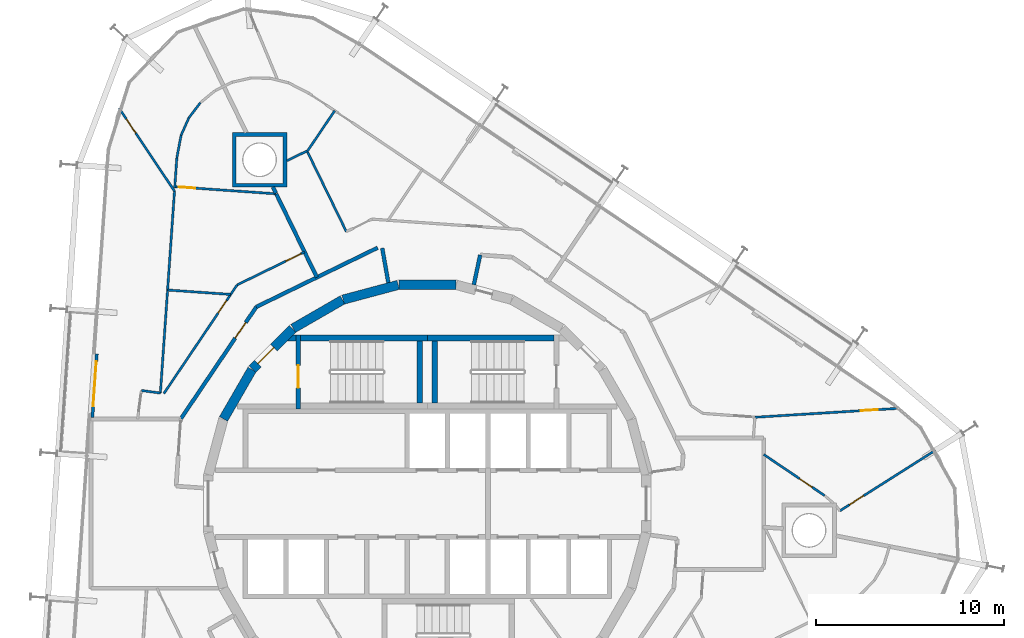
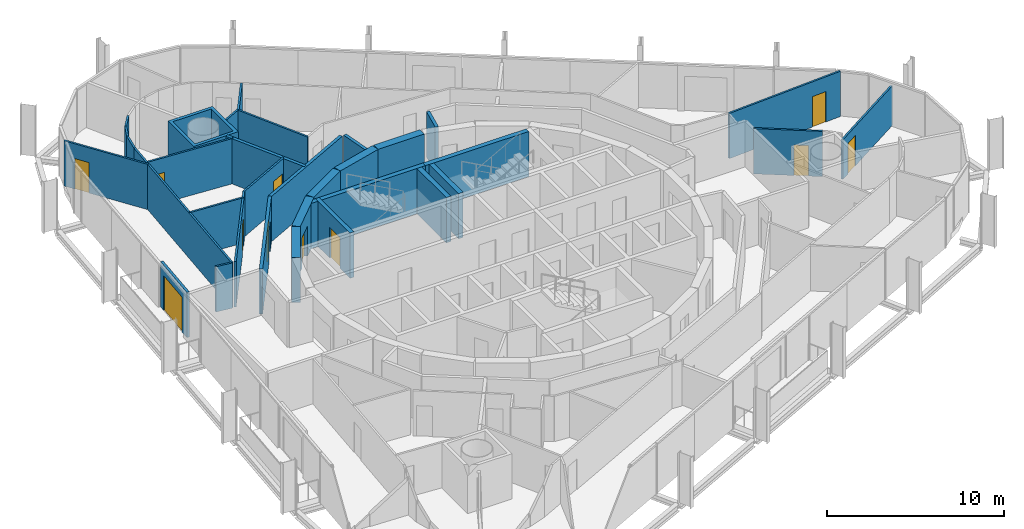
# One storey, part 15 of 18: 36 walls, 11 doors, 11 openings.
"""IFC4 building model written with IfcOpenShell, lengths in metres."""

from ifc_helpers import new_model, si_unit, direction, frame, frame_2d, origin, place, context, subcontext, project, spatial, polyline, rectangle, outline, extrude, material, layer, layer_set, type_object, element, fill, save


model = new_model("IFC4")

# Units and contexts
model_context = context("Model", 3, precision=1e-05, world=origin(), true_north=direction((0.0, 1.0)))
body_context = subcontext(model_context, "Body", "Model", "MODEL_VIEW")
ifc_project = project(units=[si_unit("LENGTHUNIT", "METRE"), si_unit("AREAUNIT", "SQUARE_METRE"), si_unit("VOLUMEUNIT", "CUBIC_METRE"), si_unit("PLANEANGLEUNIT", "RADIAN"), si_unit("MASSUNIT", "GRAM", prefix="KILO")], contexts=[model_context])

# Site, building, storey
site_placement = place(None, origin())
site = spatial("IfcSite", under=ifc_project, at=site_placement, CompositionType="ELEMENT")
building_placement = place(site_placement, origin())
building = spatial("IfcBuilding", under=site, at=building_placement, Name="Spindle Arch Residences", CompositionType="ELEMENT")
storey_placement = place(building_placement, frame((0.0, 0.0, 205.89990234375)))
storey = spatial("IfcBuildingStorey", under=building, at=storey_placement, Name="L52", CompositionType="ELEMENT", Elevation=205.89990234375)

# Walls
ifc_material_1 = material(Name="Concrete C50/60", Category="concrete")
ifc_layer_1 = layer(ifc_material_1, 0.5)
ifc_layer_set_1 = layer_set([ifc_layer_1], Name="Core outline wall 500")
wall_type_1 = type_object("IfcWallType", Name="Core outline wall 500", PredefinedType="SHEAR", material=ifc_layer_set_1)
for number, where, z_axis, x_axis, name in (
    (1, (1.516357421875, 11.647216796875, 0.0), (0.0, 0.0, 1.0), (-1.0, 0.0, 0.0), "Core outline wall 12"),
    (2, (-1.5498046875, 11.642822265625, 0.0), (0.0, 0.0, 1.0), (-0.965948410781, -0.258734743916, 0.0), "Core outline wall 13"),
    (3, (-4.510498046875, 10.84521484375, 0.0), (0.0, 0.0, 1.0), (-0.865975092491, -0.500087131594, 0.0), "Core outline wall 14"),
):
    element("IfcWall", number, at=place(storey_placement, frame(where, z_axis=z_axis, x_axis=x_axis)), inside=storey, type_object=wall_type_1, Name=name, PredefinedType="SHEAR", context=body_context, shape_type="SweptSolid", body=[
        extrude(rectangle(XDim=3.03271484375, YDim=0.5, at=frame_2d((1.516357421875, 0.0))), origin(), (0.0, 0.0, 1.0), 3.1201171875),
    ])

# Wall, opening, door
wall_1_placement = place(storey_placement, frame((-7.163818359375, 9.30810546875, 0.0), z_axis=(0.0, 0.0, 1.0), x_axis=(-0.707106781187, -0.707106781187, 0.0)))
wall_1 = element("IfcWall", 4, at=wall_1_placement, inside=storey, type_object=wall_type_1, Name="Core outline wall 15", PredefinedType="SHEAR", context=body_context, shape_type="SweptSolid", body=[
    extrude(rectangle(XDim=3.032470703125, YDim=0.5, at=frame_2d((1.51611328125, 0.0))), origin(), (0.0, 0.0, 1.0), 3.1201171875),
])
opening_1_placement = place(wall_1_placement, frame((1.416259765625, 0.0, 0.0)))
opening_1 = element("IfcOpeningElement", 5, at=opening_1_placement, cuts=wall_1, Name="Opening R5B1-AD02", PredefinedType="OPENING", context=body_context, shape_type="SweptSolid", body=[
    extrude(rectangle(XDim=1.199951171875, YDim=2.10009765625, at=frame_2d((0.60009765625, 1.050048828125))), frame((0.0, 0.260009765625, 0.0), z_axis=(0.0, -1.0, 0.0), x_axis=(1.0, 0.0, 0.0)), (0.0, 0.0, 1.0), 0.52001953125),
])
ifc_material_2 = material(Name="Steel, fire-resisting door", Category="steel")
door_type_1 = type_object("IfcDoorType", Name="Stair airlock door 1200x2100", OperationType="SINGLE_SWING_LEFT", PredefinedType="DOOR", material=ifc_material_2)
door_1_placement = place(opening_1_placement, origin())
door_1 = element("IfcDoor", 6, at=door_1_placement, inside=storey, type_object=door_type_1, Name="Stair airlock door R5B1-AD02", OperationType="SINGLE_SWING_RIGHT", OverallHeight=2.10009765625, OverallWidth=1.199951171875, PredefinedType="DOOR", context=body_context, shape_type="SweptSolid", body=[
    extrude(rectangle(XDim=1.199951171875, YDim=2.10009765625, at=frame_2d((0.60009765625, 1.050048828125))), frame((0.0, 0.02490234375, 0.0), z_axis=(0.0, -1.0, 0.0), x_axis=(1.0, 0.0, 0.0)), (0.0, 0.0, 1.0), 0.050048828125),
])
fill(opening_1, door_1)

# Walls
wall_2_placement = place(storey_placement, frame((-9.32861328125, 7.13671875, 0.0), z_axis=(0.0, 0.0, 1.0), x_axis=(-0.500087131594, -0.865975092491, 0.0)))
element("IfcWall", 7, at=wall_2_placement, inside=storey, type_object=wall_type_1, Name="Core outline wall 16", PredefinedType="SHEAR", context=body_context, shape_type="SweptSolid", body=[
    extrude(rectangle(XDim=3.03271484375, YDim=0.5, at=frame_2d((1.516357421875, 0.0))), origin(), (0.0, 0.0, 1.0), 3.1201171875),
])
ifc_material_3 = material(Name="Calcium silicate block, plastered")
ifc_layer_2 = layer(ifc_material_3, 0.199951171875)
ifc_layer_set_2 = layer_set([ifc_layer_2], Name="Corridor wall 200")
wall_type_2 = type_object("IfcWallType", Name="Corridor wall 200", PredefinedType="STANDARD", material=ifc_layer_set_2)
wall_3_placement = place(storey_placement, frame((2.8134765625, 13.236083984375, 0.0), z_axis=(0.0, 0.0, 1.0), x_axis=(-0.207911086063, -0.978147729278, 0.0)))
element("IfcWall", 8, at=wall_3_placement, inside=storey, type_object=wall_type_2, Name="Corridor wall R5B1-W007", PredefinedType="STANDARD", context=body_context, shape_type="SweptSolid", body=[
    extrude(rectangle(XDim=1.6181640625, YDim=0.199951171875, at=frame_2d((0.80908203125, 0.0))), origin(), (0.0, 0.0, 1.0), 3.1201171875),
])
wall_4_placement = place(storey_placement, frame((-2.07373046875, 11.76123046875, 0.0), z_axis=(0.0, 0.0, 1.0), x_axis=(-0.173740587112, 0.984791454263, 0.0)))
element("IfcWall", 9, at=wall_4_placement, inside=storey, type_object=wall_type_2, Name="Corridor wall R5B1-W010", PredefinedType="STANDARD", context=body_context, shape_type="SweptSolid", body=[
    extrude(rectangle(XDim=1.867431640625, YDim=0.199951171875, at=frame_2d((0.93359375, 0.0))), origin(), (0.0, 0.0, 1.0), 3.1201171875),
])
wall_5_placement = place(storey_placement, frame((-2.64697265625, 13.617919921875, 0.0), z_axis=(0.0, 0.0, 1.0), x_axis=(-0.898796543751, -0.438366026218, 0.0)))
element("IfcWall", 10, at=wall_5_placement, inside=storey, type_object=wall_type_2, Name="Corridor wall R5B1-W011", PredefinedType="STANDARD", context=body_context, shape_type="SweptSolid", body=[
    extrude(rectangle(XDim=7.18115234375, YDim=0.199951171875, at=frame_2d((3.590576171875, 0.0))), origin(), (0.0, 0.0, 1.0), 3.1201171875),
])

# Wall, opening, door
wall_6_placement = place(storey_placement, frame((-9.101318359375, 10.469970703125, 0.0), z_axis=(0.0, 0.0, 1.0), x_axis=(-0.559195469534, -0.829035841718, 0.0)))
wall_6 = element("IfcWall", 11, at=wall_6_placement, inside=storey, type_object=wall_type_2, Name="Corridor wall R5B1-W012", PredefinedType="STANDARD", context=body_context, shape_type="SweptSolid", body=[
    extrude(rectangle(XDim=7.18115234375, YDim=0.199951171875, at=frame_2d((3.590576171875, 0.0))), origin(), (0.0, 0.0, 1.0), 3.1201171875),
])
opening_2_placement = place(wall_6_placement, frame((1.0, 0.0, 0.0)))
opening_2 = element("IfcOpeningElement", 12, at=opening_2_placement, cuts=wall_6, Name="Opening R5B1-FD03", PredefinedType="OPENING", context=body_context, shape_type="SweptSolid", body=[
    extrude(rectangle(XDim=1.0, YDim=2.10009765625, at=frame_2d((0.5, 1.050048828125))), frame((0.0, 0.10986328125, 0.0), z_axis=(0.0, -1.0, 0.0), x_axis=(1.0, 0.0, 0.0)), (0.0, 0.0, 1.0), 0.219970703125),
])
ifc_material_4 = material(Name="Timber, fire-resisting door set", Category="wood")
door_type_2 = type_object("IfcDoorType", Name="Flat entrance door 1000x2100", OperationType="NOTDEFINED", PredefinedType="DOOR", material=ifc_material_4)
door_2_placement = place(opening_2_placement, origin())
door_2 = element("IfcDoor", 13, at=door_2_placement, inside=storey, type_object=door_type_2, Name="Flat entrance door R5B1-FD03", OperationType="SINGLE_SWING_LEFT", OverallHeight=2.10009765625, OverallWidth=1.0, PredefinedType="DOOR", context=body_context, shape_type="SweptSolid", body=[
    extrude(rectangle(XDim=1.0, YDim=2.10009765625, at=frame_2d((0.5, 1.050048828125))), frame((0.0, 0.02490234375, 0.0), z_axis=(0.0, -1.0, 0.0), x_axis=(1.0, 0.0, 0.0)), (0.0, 0.0, 1.0), 0.050048828125),
])
fill(opening_2, door_2)

ifc_material_5 = material(Name="Plasterboard on steel studs", Category="steel")
ifc_layer_3 = layer(ifc_material_5, 0.1201171875)
ifc_layer_set_3 = layer_set([ifc_layer_3], Name="Flat partition 120")
wall_type_3 = type_object("IfcWallType", Name="Flat partition 120", PredefinedType="PARTITIONING", material=ifc_layer_set_3)
wall_7_placement = place(storey_placement, frame((21.140625, 0.43310546875, 0.0), z_axis=(0.0, 0.0, 1.0), x_axis=(-0.829049908454, 0.559174614313, 0.0)))
wall_7 = element("IfcWall", 14, at=wall_7_placement, inside=storey, type_object=wall_type_3, Name="Flat partition R5B1-W044", PredefinedType="PARTITIONING", context=body_context, shape_type="SweptSolid", body=[
    extrude(rectangle(XDim=3.908935546875, YDim=0.1201171875, at=frame_2d((1.95458984375, 0.0))), origin(), (0.0, 0.0, 1.0), 3.1201171875),
])
opening_3_placement = place(wall_7_placement, frame((0.800048828125, 0.0, 0.0)))
opening_3 = element("IfcOpeningElement", 15, at=opening_3_placement, cuts=wall_7, Name="Opening R5B1-BD01", PredefinedType="OPENING", context=body_context, shape_type="SweptSolid", body=[
    extrude(rectangle(XDim=0.800048828125, YDim=2.10009765625, at=frame_2d((0.39990234375, 1.050048828125))), frame((0.0, 0.070068359375, 0.0), z_axis=(0.0, -1.0, 0.0), x_axis=(1.0, 0.0, 0.0)), (0.0, 0.0, 1.0), 0.14013671875),
])
ifc_material_6 = material(Name="Timber door set", Category="wood")
door_type_3 = type_object("IfcDoorType", Name="Bathroom door 800x2100", OperationType="NOTDEFINED", PredefinedType="DOOR", material=ifc_material_6)
door_3_placement = place(opening_3_placement, origin())
door_3 = element("IfcDoor", 16, at=door_3_placement, inside=storey, type_object=door_type_3, Name="Bathroom door R5B1-BD01", OperationType="SINGLE_SWING_RIGHT", OverallHeight=2.10009765625, OverallWidth=0.800048828125, PredefinedType="DOOR", context=body_context, shape_type="SweptSolid", body=[
    extrude(rectangle(XDim=0.800048828125, YDim=2.10009765625, at=frame_2d((0.39990234375, 1.050048828125))), frame((0.0, 0.02490234375, 0.0), z_axis=(0.0, -1.0, 0.0), x_axis=(1.0, 0.0, 0.0)), (0.0, 0.0, 1.0), 0.050048828125),
])
fill(opening_3, door_3)

wall_8_placement = place(storey_placement, frame((24.9560546875, 5.0654296875, 0.0), z_axis=(0.0, 0.0, 1.0), x_axis=(-0.998076202118, -0.061999151332, 0.0)))
wall_8 = element("IfcWall", 17, at=wall_8_placement, inside=storey, type_object=wall_type_3, Name="Flat partition R5B1-W045", PredefinedType="PARTITIONING", context=body_context, shape_type="SweptSolid", body=[
    extrude(rectangle(XDim=7.536865234375, YDim=0.1201171875, at=frame_2d((3.7685546875, 0.0))), origin(), (0.0, 0.0, 1.0), 3.1201171875),
])
opening_4_placement = place(wall_8_placement, frame((1.0, 0.0, 0.0)))
opening_4 = element("IfcOpeningElement", 18, at=opening_4_placement, cuts=wall_8, Name="Opening R5B1-ID03", PredefinedType="OPENING", context=body_context, shape_type="SweptSolid", body=[
    extrude(rectangle(XDim=0.89990234375, YDim=2.10009765625, at=frame_2d((0.449951171875, 1.050048828125))), frame((0.0, 0.070068359375, 0.0), z_axis=(0.0, -1.0, 0.0), x_axis=(1.0, 0.0, 0.0)), (0.0, 0.0, 1.0), 0.14013671875),
])
ifc_material_7 = material(Name="Timber door set", Category="wood")
door_type_4 = type_object("IfcDoorType", Name="Room door 900x2100", OperationType="NOTDEFINED", PredefinedType="DOOR", material=ifc_material_7)
door_4_placement = place(opening_4_placement, origin())
door_4 = element("IfcDoor", 19, at=door_4_placement, inside=storey, type_object=door_type_4, Name="Room door R5B1-ID03", OperationType="SINGLE_SWING_LEFT", OverallHeight=2.10009765625, OverallWidth=0.89990234375, PredefinedType="DOOR", context=body_context, shape_type="SweptSolid", body=[
    extrude(rectangle(XDim=0.89990234375, YDim=2.10009765625, at=frame_2d((0.449951171875, 1.050048828125))), frame((0.0, 0.02490234375, 0.0), z_axis=(0.0, -1.0, 0.0), x_axis=(1.0, 0.0, 0.0)), (0.0, 0.0, 1.0), 0.050048828125),
])
fill(opening_4, door_4)

# Walls
wall_9_placement = place(storey_placement, frame((-4.307861328125, 14.476806640625, 0.0), z_axis=(0.0, 0.0, 1.0), x_axis=(-0.43837096777, 0.898794133613, 0.0)))
element("IfcWall", 20, at=wall_9_placement, inside=storey, type_object=wall_type_3, Name="Flat partition R5B1-W051", PredefinedType="PARTITIONING", context=body_context, shape_type="SweptSolid", body=[
    extrude(rectangle(XDim=4.74951171875, YDim=0.1201171875, at=frame_2d((2.374755859375, 0.0))), origin(), (0.0, 0.0, 1.0), 3.1201171875),
])
wall_10_placement = place(storey_placement, frame((-6.402099609375, 18.770751953125, 0.0), z_axis=(0.0, 0.0, 1.0), x_axis=(-0.898797905192, -0.438363234797, 0.0)))
element("IfcWall", 21, at=wall_10_placement, inside=storey, type_object=wall_type_3, Name="Flat partition R5B1-W052", PredefinedType="PARTITIONING", context=body_context, shape_type="SweptSolid", body=[
    extrude(rectangle(XDim=1.194580078125, YDim=0.1201171875, at=frame_2d((0.59716796875, 0.0))), origin(), (0.0, 0.0, 1.0), 3.1201171875),
])
wall_11_placement = place(storey_placement, frame((-4.9287109375, 20.912109375, 0.0), z_axis=(0.0, 0.0, 1.0), x_axis=(-0.559155109057, -0.829063063955, 0.0)))
element("IfcWall", 22, at=wall_11_placement, inside=storey, type_object=wall_type_3, Name="Flat partition R5B1-W059", PredefinedType="PARTITIONING", context=body_context, shape_type="SweptSolid", body=[
    extrude(rectangle(XDim=2.61328125, YDim=0.1201171875, at=frame_2d((1.306640625, 0.0))), origin(), (0.0, 0.0, 1.0), 3.1201171875),
])

# Wall, opening, door
wall_12_placement = place(storey_placement, frame((-6.53173828125, 13.39208984375, 0.0), z_axis=(0.0, 0.0, 1.0), x_axis=(-0.898786663593, -0.438386283256, 0.0)))
wall_12 = element("IfcWall", 23, at=wall_12_placement, inside=storey, type_object=wall_type_3, Name="Flat partition R5B1-W063", PredefinedType="PARTITIONING", context=body_context, shape_type="SweptSolid", body=[
    extrude(rectangle(XDim=3.992431640625, YDim=0.1201171875, at=frame_2d((1.99609375, 0.0))), origin(), (0.0, 0.0, 1.0), 3.1201171875),
])
opening_5_placement = place(wall_12_placement, frame((0.199951171875, 0.0, 0.0)))
opening_5 = element("IfcOpeningElement", 24, at=opening_5_placement, cuts=wall_12, Name="Opening R5B1-ID10", PredefinedType="OPENING", context=body_context, shape_type="SweptSolid", body=[
    extrude(rectangle(XDim=0.89990234375, YDim=2.10009765625, at=frame_2d((0.449951171875, 1.050048828125))), frame((0.0, 0.070068359375, 0.0), z_axis=(0.0, -1.0, 0.0), x_axis=(1.0, 0.0, 0.0)), (0.0, 0.0, 1.0), 0.14013671875),
])
door_5_placement = place(opening_5_placement, origin())
door_5 = element("IfcDoor", 25, at=door_5_placement, inside=storey, type_object=door_type_4, Name="Room door R5B1-ID10", OperationType="SINGLE_SWING_LEFT", OverallHeight=2.10009765625, OverallWidth=0.89990234375, PredefinedType="DOOR", context=body_context, shape_type="SweptSolid", body=[
    extrude(rectangle(XDim=0.89990234375, YDim=2.10009765625, at=frame_2d((0.449951171875, 1.050048828125))), frame((0.0, 0.02490234375, 0.0), z_axis=(0.0, -1.0, 0.0), x_axis=(1.0, 0.0, 0.0)), (0.0, 0.0, 1.0), 0.050048828125),
])
fill(opening_5, door_5)

wall_13_placement = place(storey_placement, frame((-10.1201171875, 11.641845703125, 0.0), z_axis=(0.0, 0.0, 1.0), x_axis=(-0.559200431187, -0.829032494996, 0.0)))
wall_13 = element("IfcWall", 26, at=wall_13_placement, inside=storey, type_object=wall_type_3, Name="Flat partition R5B1-W064", PredefinedType="PARTITIONING", context=body_context, shape_type="SweptSolid", body=[
    extrude(rectangle(XDim=6.97314453125, YDim=0.1201171875, at=frame_2d((3.486572265625, 0.0))), origin(), (0.0, 0.0, 1.0), 3.1201171875),
])
opening_6_placement = place(wall_13_placement, frame((1.01123046875, 0.0, 0.0)))
opening_6 = element("IfcOpeningElement", 27, at=opening_6_placement, cuts=wall_13, Name="Opening R5B1-BD03", PredefinedType="OPENING", context=body_context, shape_type="SweptSolid", body=[
    extrude(rectangle(XDim=0.800048828125, YDim=2.10009765625, at=frame_2d((0.39990234375, 1.050048828125))), frame((0.0, 0.070068359375, 0.0), z_axis=(0.0, -1.0, 0.0), x_axis=(1.0, 0.0, 0.0)), (0.0, 0.0, 1.0), 0.14013671875),
])
door_6_placement = place(opening_6_placement, origin())
door_6 = element("IfcDoor", 28, at=door_6_placement, inside=storey, type_object=door_type_3, Name="Bathroom door R5B1-BD03", OperationType="SINGLE_SWING_LEFT", OverallHeight=2.10009765625, OverallWidth=0.800048828125, PredefinedType="DOOR", context=body_context, shape_type="SweptSolid", body=[
    extrude(rectangle(XDim=0.800048828125, YDim=2.10009765625, at=frame_2d((0.39990234375, 1.050048828125))), frame((0.0, 0.02490234375, 0.0), z_axis=(0.0, -1.0, 0.0), x_axis=(1.0, 0.0, 0.0)), (0.0, 0.0, 1.0), 0.050048828125),
])
fill(opening_6, door_6)

# Walls
wall_14_placement = place(storey_placement, frame((-14.204833984375, 5.885986328125, 0.0), z_axis=(0.0, 0.0, 1.0), x_axis=(-0.990931001278, 0.13437168863, 0.0)))
element("IfcWall", 29, at=wall_14_placement, inside=storey, type_object=wall_type_3, Name="Flat partition R5B1-W065", PredefinedType="PARTITIONING", context=body_context, shape_type="SweptSolid", body=[
    extrude(rectangle(XDim=1.013916015625, YDim=0.1201171875, at=frame_2d((0.5068359375, 0.0))), origin(), (0.0, 0.0, 1.0), 3.1201171875),
])
for number, where, z_axis, x_axis, name in (
    (30, (-12.073486328125, 21.34033203125, 0.0), (0.0, 0.0, 1.0), (-0.606325560855, -0.79521652036, 0.0), "Flat partition R5B1-W068"),
    (31, (-12.689453125, 20.532470703125, 0.0), (0.0, 0.0, 1.0), (-0.406874181998, -0.913484208962, 0.0), "Flat partition R5B1-W069"),
):
    element("IfcWall", number, at=place(storey_placement, frame(where, z_axis=z_axis, x_axis=x_axis)), inside=storey, type_object=wall_type_3, Name=name, PredefinedType="PARTITIONING", context=body_context, shape_type="SweptSolid", body=[
        extrude(rectangle(XDim=1.015869140625, YDim=0.1201171875, at=frame_2d((0.5078125, 0.0))), origin(), (0.0, 0.0, 1.0), 3.1201171875),
    ])
wall_15_placement = place(storey_placement, frame((-13.102783203125, 19.6044921875, 0.0), z_axis=(0.0, 0.0, 1.0), x_axis=(-0.185045330455, -0.982729986149, 0.0)))
element("IfcWall", 32, at=wall_15_placement, inside=storey, type_object=wall_type_3, Name="Flat partition R5B1-W070", PredefinedType="PARTITIONING", context=body_context, shape_type="SweptSolid", body=[
    extrude(rectangle(XDim=1.22705078125, YDim=0.1201171875, at=frame_2d((0.613525390625, 0.0))), origin(), (0.0, 0.0, 1.0), 3.1201171875),
])
wall_16_placement = place(storey_placement, frame((-13.329833984375, 18.398681640625, 0.0), z_axis=(0.0, 0.0, 1.0), x_axis=(-0.069695040349, -0.9975683442, 0.0)))
element("IfcWall", 33, at=wall_16_placement, inside=storey, type_object=wall_type_3, Name="Flat partition R5B1-W071", PredefinedType="PARTITIONING", context=body_context, shape_type="SweptSolid", body=[
    extrude(rectangle(XDim=1.576416015625, YDim=0.1201171875, at=frame_2d((0.7880859375, 0.0))), origin(), (0.0, 0.0, 1.0), 3.1201171875),
])

# Wall, opening, door
wall_17_placement = place(storey_placement, frame((-13.43701171875, 16.8662109375, 0.0), z_axis=(0.0, 0.0, 1.0), x_axis=(0.997564592961, -0.06974871232, 0.0)))
wall_17 = element("IfcWall", 34, at=wall_17_placement, inside=storey, type_object=wall_type_3, Name="Flat partition R5B1-W072", PredefinedType="PARTITIONING", context=body_context, shape_type="SweptSolid", body=[
    extrude(rectangle(XDim=5.407958984375, YDim=0.1201171875, at=frame_2d((2.7041015625, 0.0))), origin(), (0.0, 0.0, 1.0), 3.1201171875),
])
opening_7_placement = place(wall_17_placement, frame((0.199951171875, 0.0, 0.0)))
opening_7 = element("IfcOpeningElement", 35, at=opening_7_placement, cuts=wall_17, Name="Opening R5B1-ID12", PredefinedType="OPENING", context=body_context, shape_type="SweptSolid", body=[
    extrude(rectangle(XDim=0.89990234375, YDim=2.10009765625, at=frame_2d((0.449951171875, 1.050048828125))), frame((0.0, 0.070068359375, 0.0), z_axis=(0.0, -1.0, 0.0), x_axis=(1.0, 0.0, 0.0)), (0.0, 0.0, 1.0), 0.14013671875),
])
door_7_placement = place(opening_7_placement, origin())
door_7 = element("IfcDoor", 36, at=door_7_placement, inside=storey, type_object=door_type_4, Name="Room door R5B1-ID12", OperationType="SINGLE_SWING_LEFT", OverallHeight=2.10009765625, OverallWidth=0.89990234375, PredefinedType="DOOR", context=body_context, shape_type="SweptSolid", body=[
    extrude(rectangle(XDim=0.89990234375, YDim=2.10009765625, at=frame_2d((0.449951171875, 1.050048828125))), frame((0.0, 0.02490234375, 0.0), z_axis=(0.0, -1.0, 0.0), x_axis=(1.0, 0.0, 0.0)), (0.0, 0.0, 1.0), 0.050048828125),
])
fill(opening_7, door_7)

wall_18_placement = place(storey_placement, frame((-16.401611328125, 21.046142578125, 0.0), z_axis=(0.0, 0.0, 1.0), x_axis=(0.555442981062, -0.831554625259, 0.0)))
wall_18 = element("IfcWall", 37, at=wall_18_placement, inside=storey, type_object=wall_type_3, Name="Flat partition R5B1-W073", PredefinedType="PARTITIONING", context=body_context, shape_type="SweptSolid", body=[
    extrude(rectangle(XDim=5.307861328125, YDim=0.1201171875, at=frame_2d((2.65380859375, 0.0))), origin(), (0.0, 0.0, 1.0), 3.1201171875),
])
opening_8_placement = place(wall_18_placement, frame((0.699951171875, 0.0, 0.0)))
opening_8 = element("IfcOpeningElement", 38, at=opening_8_placement, cuts=wall_18, Name="Opening R5B1-ID13", PredefinedType="OPENING", context=body_context, shape_type="SweptSolid", body=[
    extrude(rectangle(XDim=0.89990234375, YDim=2.10009765625, at=frame_2d((0.449951171875, 1.050048828125))), frame((0.0, 0.070068359375, 0.0), z_axis=(0.0, -1.0, 0.0), x_axis=(1.0, 0.0, 0.0)), (0.0, 0.0, 1.0), 0.14013671875),
])
door_8_placement = place(opening_8_placement, origin())
door_8 = element("IfcDoor", 39, at=door_8_placement, inside=storey, type_object=door_type_4, Name="Room door R5B1-ID13", OperationType="SINGLE_SWING_LEFT", OverallHeight=2.10009765625, OverallWidth=0.89990234375, PredefinedType="DOOR", context=body_context, shape_type="SweptSolid", body=[
    extrude(rectangle(XDim=0.89990234375, YDim=2.10009765625, at=frame_2d((0.449951171875, 1.050048828125))), frame((0.0, 0.02490234375, 0.0), z_axis=(0.0, -1.0, 0.0), x_axis=(1.0, 0.0, 0.0)), (0.0, 0.0, 1.0), 0.050048828125),
])
fill(opening_8, door_8)

# Walls
wall_19_placement = place(storey_placement, frame((-13.453369140625, 16.63232421875, 0.0), z_axis=(0.0, 0.0, 1.0), x_axis=(-0.069757184581, -0.997564000553, 0.0)))
element("IfcWall", 40, at=wall_19_placement, inside=storey, type_object=wall_type_3, Name="Flat partition R5B1-W074", PredefinedType="PARTITIONING", context=body_context, shape_type="SweptSolid", body=[
    extrude(rectangle(XDim=10.7724609375, YDim=0.1201171875, at=frame_2d((5.38623046875, 0.0))), origin(), (0.0, 0.0, 1.0), 3.1201171875),
])
wall_20_placement = place(storey_placement, frame((-13.8212890625, 11.3701171875, 0.0), z_axis=(0.0, 0.0, 1.0), x_axis=(0.997559977048, -0.069814698975, 0.0)))
element("IfcWall", 41, at=wall_20_placement, inside=storey, type_object=wall_type_3, Name="Flat partition R5B1-W075", PredefinedType="PARTITIONING", context=body_context, shape_type="SweptSolid", body=[
    extrude(rectangle(XDim=3.36767578125, YDim=0.1201171875, at=frame_2d((1.683837890625, 0.0))), origin(), (0.0, 0.0, 1.0), 3.1201171875),
])

# Wall, opening, door
ifc_material_8 = material(Name="Plasterboard on steel studs", Category="steel")
ifc_layer_4 = layer(ifc_material_8, 0.1201171875)
ifc_layer_set_4 = layer_set([ifc_layer_4], Name="Flat partition 120 under beam 2730")
wall_type_4 = type_object("IfcWallType", Name="Flat partition 120 under beam 2730", PredefinedType="PARTITIONING", material=ifc_layer_set_4)
wall_21_placement = place(storey_placement, frame((21.9501953125, -0.3818359375, 0.0), z_axis=(0.0, 0.0, 1.0), x_axis=(0.844596663126, 0.535403097336, 0.0)))
wall_21 = element("IfcWall", 42, at=wall_21_placement, inside=storey, type_object=wall_type_4, Name="Flat partition R5B1-W047", PredefinedType="PARTITIONING", context=body_context, shape_type="SweptSolid", body=[
    extrude(rectangle(XDim=6.022216796875, YDim=0.1201171875, at=frame_2d((3.01123046875, 0.0))), origin(), (0.0, 0.0, 1.0), 2.72998046875),
])
opening_9_placement = place(wall_21_placement, frame((0.60009765625, 0.0, 0.0)))
opening_9 = element("IfcOpeningElement", 43, at=opening_9_placement, cuts=wall_21, Name="Opening R5B1-ID04", PredefinedType="OPENING", context=body_context, shape_type="SweptSolid", body=[
    extrude(rectangle(XDim=0.89990234375, YDim=2.10009765625, at=frame_2d((0.449951171875, 1.050048828125))), frame((0.0, 0.070068359375, 0.0), z_axis=(0.0, -1.0, 0.0), x_axis=(1.0, 0.0, 0.0)), (0.0, 0.0, 1.0), 0.14013671875),
])
door_9_placement = place(opening_9_placement, origin())
door_9 = element("IfcDoor", 44, at=door_9_placement, inside=storey, type_object=door_type_4, Name="Room door R5B1-ID04", OperationType="SINGLE_SWING_LEFT", OverallHeight=2.10009765625, OverallWidth=0.89990234375, PredefinedType="DOOR", context=body_context, shape_type="SweptSolid", body=[
    extrude(rectangle(XDim=0.89990234375, YDim=2.10009765625, at=frame_2d((0.449951171875, 1.050048828125))), frame((0.0, 0.02490234375, 0.0), z_axis=(0.0, -1.0, 0.0), x_axis=(1.0, 0.0, 0.0)), (0.0, 0.0, 1.0), 0.050048828125),
])
fill(opening_9, door_9)

# Walls
ifc_material_9 = material(Name="Calcium silicate block, plastered")
ifc_layer_5 = layer(ifc_material_9, 0.199951171875)
ifc_layer_set_5 = layer_set([ifc_layer_5], Name="Flat party wall 200")
wall_type_5 = type_object("IfcWallType", Name="Flat party wall 200", PredefinedType="STANDARD", material=ifc_layer_set_5)
wall_22_placement = place(storey_placement, frame((-8.042236328125, 16.489013671875, 0.0), z_axis=(0.0, 0.0, 1.0), x_axis=(0.438345825707, -0.898806395774, 0.0)))
element("IfcWall", 45, at=wall_22_placement, inside=storey, type_object=wall_type_5, Name="Flat party wall R5B1-W031", PredefinedType="STANDARD", context=body_context, shape_type="SweptSolid", body=[
    extrude(rectangle(XDim=4.94580078125, YDim=0.199951171875, at=frame_2d((2.472900390625, 0.0))), origin(), (0.0, 0.0, 1.0), 3.1201171875),
])
wall_23_placement = place(storey_placement, frame((-8.21875, 16.850830078125, 0.0), z_axis=(0.0, 0.0, 1.0), x_axis=(0.438281645094, -0.898837693676, 0.0)))
element("IfcWall", 46, at=wall_23_placement, inside=storey, type_object=wall_type_5, Name="Flat party wall R5B1-W032", PredefinedType="STANDARD", context=body_context, shape_type="SweptSolid", body=[
    extrude(rectangle(XDim=0.37255859375, YDim=0.199951171875, at=frame_2d((0.186279296875, 0.0))), origin(), (0.0, 0.0, 1.0), 3.1201171875),
])

# Wall, opening, door
ifc_material_10 = material(Name="Non-combustible mineral wool insulated aluminium faced external wall (K0)", Category="aluminium")
ifc_layer_6 = layer(ifc_material_10, 0.159912109375)
ifc_layer_set_6 = layer_set([ifc_layer_6], Name="Insulated external wall panel 160")
wall_type_6 = type_object("IfcWallType", Name="Insulated external wall panel 160", PredefinedType="STANDARD", material=ifc_layer_set_6)
wall_24_placement = place(storey_placement, frame((-17.587158203125, 7.975341796875, 0.0), z_axis=(0.0, 0.0, 1.0), x_axis=(-0.069813354682, -0.997560071128, 0.0)))
wall_24 = element("IfcWall", 47, at=wall_24_placement, inside=storey, type_object=wall_type_6, Name="External wall L52 bay 14", PredefinedType="STANDARD", context=body_context, shape_type="SweptSolid", body=[
    extrude(rectangle(XDim=3.388671875, YDim=0.159912109375, at=frame_2d((1.6943359375, 0.0))), origin(), (0.0, 0.0, 1.0), 3.1201171875),
])
opening_10_placement = place(wall_24_placement, frame((0.39990234375, 0.0, 0.0)))
opening_10 = element("IfcOpeningElement", 48, at=opening_10_placement, cuts=wall_24, Name="Opening BD14", PredefinedType="OPENING", context=body_context, shape_type="SweptSolid", body=[
    extrude(rectangle(XDim=2.39990234375, YDim=2.39990234375, at=frame_2d((1.199951171875, 1.199951171875))), frame((0.0, 0.08984375, 0.0), z_axis=(0.0, -1.0, 0.0), x_axis=(1.0, 0.0, 0.0)), (0.0, 0.0, 1.0), 0.179931640625),
])
ifc_material_11 = material(Name="Bronze aluminium frame, tinted double glazing", Category="aluminium")
door_type_5 = type_object("IfcDoorType", Name="Sliding glazed balcony door 2400x2400", OperationType="DOUBLE_DOOR_SLIDING", PredefinedType="DOOR", material=ifc_material_11)
door_10_placement = place(opening_10_placement, origin())
door_10 = element("IfcDoor", 49, at=door_10_placement, inside=storey, type_object=door_type_5, Name="Balcony door BD14", OperationType="DOUBLE_DOOR_SLIDING", OverallHeight=2.39990234375, OverallWidth=2.39990234375, PredefinedType="DOOR", context=body_context, shape_type="SweptSolid", body=[
    extrude(rectangle(XDim=2.39990234375, YDim=2.39990234375, at=frame_2d((1.199951171875, 1.199951171875))), frame((0.0, 0.02490234375, 0.0), z_axis=(0.0, -1.0, 0.0), x_axis=(1.0, 0.0, 0.0)), (0.0, 0.0, 1.0), 0.050048828125),
])
fill(opening_10, door_10)

# Walls
ifc_material_12 = material(Name="Calcium silicate block, plastered")
ifc_layer_7 = layer(ifc_material_12, 0.199951171875)
ifc_layer_set_7 = layer_set([ifc_layer_7], Name="Mega-column casing wall 200")
wall_type_7 = type_object("IfcWallType", Name="Mega-column casing wall 200", PredefinedType="STANDARD", material=ifc_layer_set_7)
wall_25_placement = place(storey_placement, origin())
element("IfcWall", 50, at=wall_25_placement, inside=storey, type_object=wall_type_7, Name="Mega-column casing wall R5B1-WC01", PredefinedType="STANDARD", context=body_context, shape_type="SweptSolid", body=[
    extrude(outline(polyline([(-7.475830078125, 19.750732421875), (-7.475830078125, 16.850830078125), (-10.3759765625, 16.850830078125), (-10.3759765625, 19.750732421875), (-7.475830078125, 19.750732421875)]), holes=[polyline([(-10.17578125, 17.05078125), (-7.67578125, 17.05078125), (-7.67578125, 19.55078125), (-10.17578125, 19.55078125), (-10.17578125, 17.05078125)])]), origin(), (0.0, 0.0, 1.0), 3.1201171875),
])
ifc_material_13 = material(Name="Concrete C40/50", Category="concrete")
wall_type_8 = type_object("IfcWallType", Name="Stair airlock wall profile", PredefinedType="SHEAR", material=ifc_material_13)
wall_26_placement = place(storey_placement, origin())
element("IfcWall", 51, at=wall_26_placement, inside=storey, type_object=wall_type_8, Name="Stair ST-2 airlock wall N", PredefinedType="SHEAR", context=body_context, shape_type="SweptSolid", body=[
    extrude(outline(polyline([(-7.148193359375, 8.969970703125), (-7.0, 8.969970703125), (-7.0, 8.669921875), (-7.4482421875, 8.669921875), (-7.148193359375, 8.969970703125)])), origin(), (0.0, 0.0, 1.0), 3.1201171875),
])

# Wall, opening, door
ifc_material_14 = material(Name="Concrete C50/60", Category="concrete")
ifc_layer_8 = layer(ifc_material_14, 0.25)
ifc_layer_set_8 = layer_set([ifc_layer_8], Name="Stair enclosure wall 250")
wall_type_9 = type_object("IfcWallType", Name="Stair enclosure wall 250", PredefinedType="SHEAR", material=ifc_layer_set_8)
wall_27_placement = place(storey_placement, frame((-6.875, 8.969970703125, 0.0), z_axis=(0.0, 0.0, 1.0), x_axis=(0.0, -1.0, 0.0)))
wall_27 = element("IfcWall", 52, at=wall_27_placement, inside=storey, type_object=wall_type_9, Name="Stair ST-2 door wall", PredefinedType="SHEAR", context=body_context, shape_type="SweptSolid", body=[
    extrude(rectangle(XDim=3.919921875, YDim=0.25, at=frame_2d((1.9599609375, 0.0))), origin(), (0.0, 0.0, 1.0), 3.1201171875),
])
opening_11_placement = place(wall_27_placement, frame((1.610107421875, 0.0, 0.0)))
opening_11 = element("IfcOpeningElement", 53, at=opening_11_placement, cuts=wall_27, Name="Opening R5B1-SD02", PredefinedType="OPENING", context=body_context, shape_type="SweptSolid", body=[
    extrude(rectangle(XDim=1.199951171875, YDim=2.10009765625, at=frame_2d((0.60009765625, 1.050048828125))), frame((0.0, 0.135009765625, 0.0), z_axis=(0.0, -1.0, 0.0), x_axis=(1.0, 0.0, 0.0)), (0.0, 0.0, 1.0), 0.27001953125),
])
ifc_material_15 = material(Name="Steel, fire-resisting door", Category="steel")
door_type_6 = type_object("IfcDoorType", Name="Stair door 1200x2100", OperationType="SINGLE_SWING_RIGHT", PredefinedType="DOOR", material=ifc_material_15)
door_11_placement = place(opening_11_placement, origin())
door_11 = element("IfcDoor", 54, at=door_11_placement, inside=storey, type_object=door_type_6, Name="Stair door R5B1-SD02", OperationType="SINGLE_SWING_LEFT", OverallHeight=2.10009765625, OverallWidth=1.199951171875, PredefinedType="DOOR", context=body_context, shape_type="SweptSolid", body=[
    extrude(rectangle(XDim=1.199951171875, YDim=2.10009765625, at=frame_2d((0.60009765625, 1.050048828125))), frame((0.0, 0.02490234375, 0.0), z_axis=(0.0, -1.0, 0.0), x_axis=(1.0, 0.0, 0.0)), (0.0, 0.0, 1.0), 0.050048828125),
])
fill(opening_11, door_11)

# Walls
ifc_material_16 = material(Name="Concrete C50/60", Category="concrete")
ifc_layer_9 = layer(ifc_material_16, 0.300048828125)
ifc_layer_set_9 = layer_set([ifc_layer_9], Name="Stair enclosure wall 300")
wall_type_10 = type_object("IfcWallType", Name="Stair enclosure wall 300", PredefinedType="SHEAR", material=ifc_layer_set_9)
wall_28_placement = place(storey_placement, frame((0.0, 8.820068359375, 0.0), z_axis=(0.0, 0.0, 1.0), x_axis=(1.0, 0.0, 0.0)))
element("IfcWall", 55, at=wall_28_placement, inside=storey, type_object=wall_type_10, Name="Stair ST-1 enclosure wall N", PredefinedType="SHEAR", context=body_context, shape_type="SweptSolid", body=[
    extrude(rectangle(XDim=6.75, YDim=0.300048828125, at=frame_2d((3.375, 0.0))), origin(), (0.0, 0.0, 1.0), 3.1201171875),
])
wall_29_placement = place(storey_placement, frame((0.39990234375, 5.35009765625, 0.0), z_axis=(0.0, 0.0, 1.0), x_axis=(0.0, 1.0, 0.0)))
element("IfcWall", 56, at=wall_29_placement, inside=storey, type_object=wall_type_10, Name="Stair ST-1 enclosure wall F", PredefinedType="SHEAR", context=body_context, shape_type="SweptSolid", body=[
    extrude(rectangle(XDim=3.31982421875, YDim=0.300048828125, at=frame_2d((1.659912109375, 0.0))), origin(), (0.0, 0.0, 1.0), 3.1201171875),
])
wall_30_placement = place(storey_placement, frame((-6.75, 8.820068359375, 0.0), z_axis=(0.0, 0.0, 1.0), x_axis=(1.0, 0.0, 0.0)))
element("IfcWall", 57, at=wall_30_placement, inside=storey, type_object=wall_type_10, Name="Stair ST-2 enclosure wall N", PredefinedType="SHEAR", context=body_context, shape_type="SweptSolid", body=[
    extrude(rectangle(XDim=6.75, YDim=0.300048828125, at=frame_2d((3.375, 0.0))), origin(), (0.0, 0.0, 1.0), 3.1201171875),
])
wall_31_placement = place(storey_placement, frame((-0.39990234375, 5.35009765625, 0.0), z_axis=(0.0, 0.0, 1.0), x_axis=(0.0, 1.0, 0.0)))
element("IfcWall", 58, at=wall_31_placement, inside=storey, type_object=wall_type_10, Name="Stair ST-2 enclosure wall F", PredefinedType="SHEAR", context=body_context, shape_type="SweptSolid", body=[
    extrude(rectangle(XDim=3.31982421875, YDim=0.300048828125, at=frame_2d((1.659912109375, 0.0))), origin(), (0.0, 0.0, 1.0), 3.1201171875),
])

save(model, "model.ifc")
